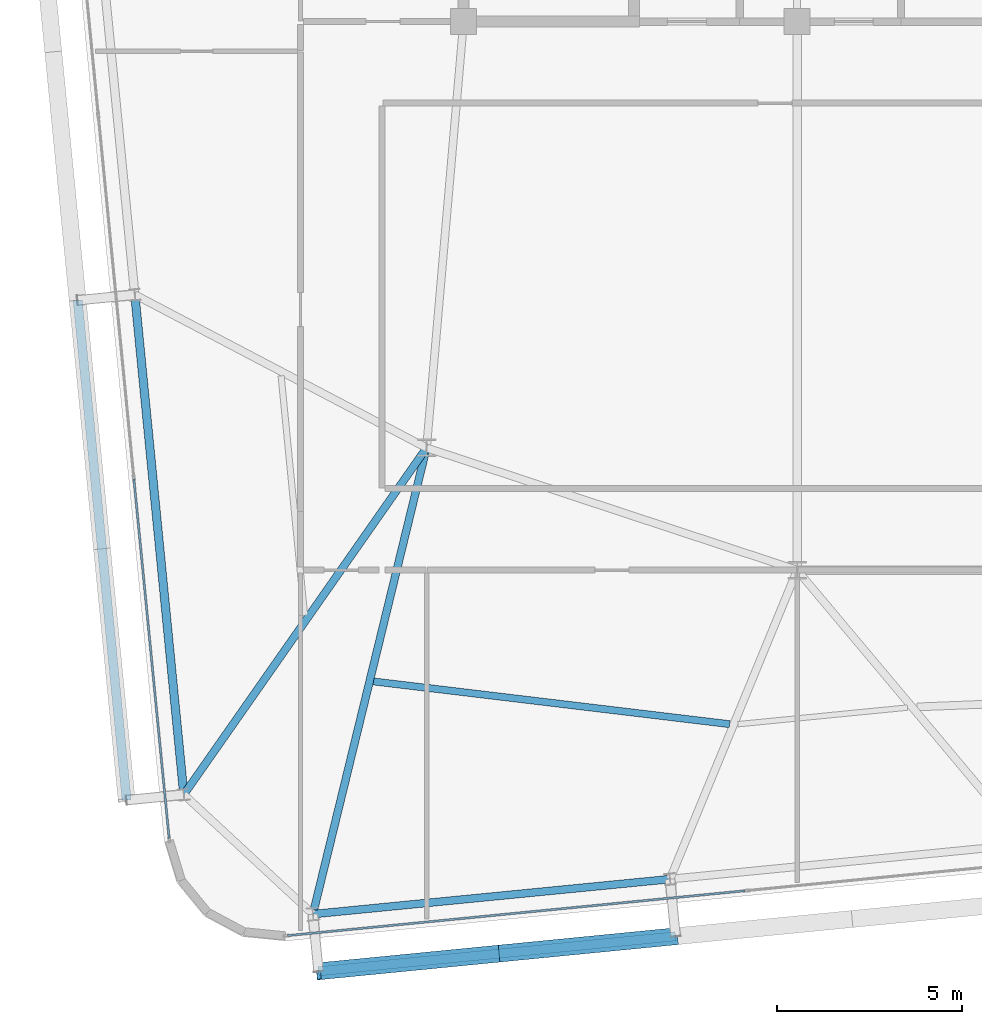
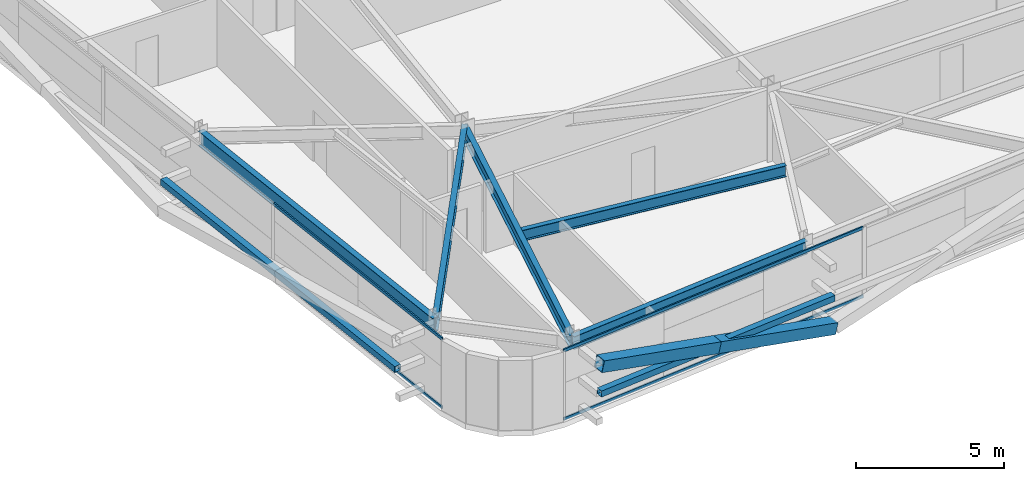
# One storey, part 6 of 47: 8 members, 5 beams, 2 elements without a shape of their own.
"""IFC4 building model written with IfcOpenShell, lengths in metres."""

from ifc_helpers import new_model, si_unit, direction, frame, origin, origin_2d, place, context, subcontext, project, spatial, hollow_rectangle, i_section, extrude, source, transform, mapped, material, layer, layer_set, material_profile, profile_set, type_object, element, aggregate, save


model = new_model("IFC4")

# Units and contexts
model_context = context("Model", 3, precision=1e-05, world=origin(), true_north=direction((0.0, 1.0)))
body_context = subcontext(model_context, "Body", "Model", "MODEL_VIEW")
ifc_project = project(units=[si_unit("LENGTHUNIT", "METRE"), si_unit("AREAUNIT", "SQUARE_METRE"), si_unit("VOLUMEUNIT", "CUBIC_METRE"), si_unit("PLANEANGLEUNIT", "RADIAN"), si_unit("MASSUNIT", "GRAM", prefix="KILO")], contexts=[model_context])

# Site, building, storey
site_placement = place(None, origin())
site = spatial("IfcSite", under=ifc_project, at=site_placement, CompositionType="ELEMENT")
building_placement = place(site_placement, origin())
building = spatial("IfcBuilding", under=site, at=building_placement, Name="Taldren Reach Tower", CompositionType="ELEMENT")
storey_placement = place(building_placement, frame((0.0, 0.0, 109.199951171875)))
storey = spatial("IfcBuildingStorey", under=building, at=storey_placement, Name="L33", CompositionType="ELEMENT", Elevation=109.199951171875)

# Beams
ifc_material_1 = material(Name="Steel Gr 350 (350PLUS)", Category="steel")
ifc_material_profile_1 = material_profile(ifc_material_1, i_section(OverallWidth=0.208984375, OverallDepth=0.528076171875, WebThickness=0.009521484375, FlangeThickness=0.01318359375, at=origin_2d()), Name="530UB82.0")
ifc_profile_set_1 = profile_set([ifc_material_profile_1], Name="Steel Gr 350 (350PLUS)")
beam_type_1 = type_object("IfcBeamType", Name="SP-UB530B", PredefinedType="SPANDREL", material=ifc_profile_set_1)
shared_shape_1 = source(origin(), body_context, "Body", "SweptSolid", [
    extrude(i_section(OverallWidth=0.208984375, OverallDepth=0.528076171875, WebThickness=0.009521484375, FlangeThickness=0.01318359375, at=origin_2d()), origin(), (0.0, 0.0, 1.0), 9.679931640625),
])
beam_1_placement = place(storey_placement, frame((14.93408203125, -0.079833984375, 2.60595703125), z_axis=(0.995227612658, 0.097580730699, 0.0), x_axis=(-0.097580730699, 0.995227612658, 0.0)))
element("IfcBeam", 1, at=beam_1_placement, inside=storey, type_object=beam_type_1, Name="Perimeter spandrel B2 S1-S2 L33", PredefinedType="SPANDREL", context=body_context, shape_type="MappedRepresentation", body=[
    mapped(shared_shape_1, transform((0.0, 0.0, 0.0), scale=1.0)),
])
ifc_material_profile_2 = material_profile(ifc_material_1, i_section(OverallWidth=0.22802734375, OverallDepth=0.60205078125, WebThickness=0.010498046875, FlangeThickness=0.014892578125, at=origin_2d()), Name="610UB101")
ifc_profile_set_2 = profile_set([ifc_material_profile_2], Name="Steel Gr 350 (350PLUS)")
beam_type_2 = type_object("IfcBeamType", Name="BM-UB610B", PredefinedType="BEAM", material=ifc_profile_set_2)
shared_shape_2 = source(origin(), body_context, "Body", "SweptSolid", [
    extrude(i_section(OverallWidth=0.22802734375, OverallDepth=0.60205078125, WebThickness=0.010498046875, FlangeThickness=0.014892578125, at=origin_2d()), origin(), (0.0, 0.0, 1.0), 13.550048828125),
])
beam_2_placement = place(storey_placement, frame((10.130615234375, 16.631103515625, 2.569091796875), z_axis=(0.097584021339, -0.995227290009, 0.0), x_axis=(0.995227290009, 0.097584021339, 0.0)))
element("IfcBeam", 2, at=beam_2_placement, inside=storey, type_object=beam_type_2, Name="Perimeter gable girder B2 W2-W1 L33", PredefinedType="BEAM", context=body_context, shape_type="MappedRepresentation", body=[
    mapped(shared_shape_2, transform((0.0, 0.0, 0.0), scale=1.0)),
])
ifc_material_profile_3 = material_profile(ifc_material_1, i_section(OverallWidth=0.208984375, OverallDepth=0.532958984375, WebThickness=0.01025390625, FlangeThickness=0.015625, at=origin_2d()), Name="530UB92.4")
ifc_profile_set_3 = profile_set([ifc_material_profile_3], Name="Steel Gr 350 (350PLUS)")
beam_type_3 = type_object("IfcBeamType", Name="BM-UB530A", PredefinedType="BEAM", material=ifc_profile_set_3)
shared_shape_3 = source(origin(), body_context, "Body", "SweptSolid", [
    extrude(i_section(OverallWidth=0.208984375, OverallDepth=0.532958984375, WebThickness=0.01025390625, FlangeThickness=0.015625, at=origin_2d()), origin(), (0.0, 0.0, 1.0), 12.947998046875),
])
beam_3_placement = place(storey_placement, frame((18.0, 12.5, 2.603515625), z_axis=(-0.236786022782, -0.971561824803, 0.0), x_axis=(0.971561824803, -0.236786022782, 0.0)))
element("IfcBeam", 3, at=beam_3_placement, inside=storey, type_object=beam_type_3, Name="Primary floor girder B2-S1 L33", PredefinedType="BEAM", context=body_context, shape_type="MappedRepresentation", body=[
    mapped(shared_shape_3, transform((0.0, 0.0, 0.0), scale=1.0)),
])
shared_shape_4 = source(origin(), body_context, "Body", "SweptSolid", [
    extrude(i_section(OverallWidth=0.208984375, OverallDepth=0.532958984375, WebThickness=0.01025390625, FlangeThickness=0.015625, at=origin_2d()), origin(), (0.0, 0.0, 1.0), 11.417724609375),
])
beam_4_placement = place(storey_placement, frame((18.0, 12.5, 2.603515625), z_axis=(-0.573412116146, -0.819267077977, 0.0), x_axis=(0.819267077977, -0.573412116146, 0.0)))
element("IfcBeam", 4, at=beam_4_placement, inside=storey, type_object=beam_type_3, Name="Primary floor girder B2-W1 L33", PredefinedType="BEAM", context=body_context, shape_type="MappedRepresentation", body=[
    mapped(shared_shape_4, transform((0.0, 0.0, 0.0), scale=1.0)),
])
ifc_material_profile_4 = material_profile(ifc_material_1, i_section(OverallWidth=0.19091796875, OverallDepth=0.4599609375, WebThickness=0.010009765625, FlangeThickness=0.01611328125, at=origin_2d()), Name="460UB82.1")
ifc_profile_set_4 = profile_set([ifc_material_profile_4], Name="Steel Gr 350 (350PLUS)")
beam_type_4 = type_object("IfcBeamType", Name="BM-UB460A", PredefinedType="BEAM", material=ifc_profile_set_4)
shared_shape_5 = source(origin(), body_context, "Body", "SweptSolid", [
    extrude(i_section(OverallWidth=0.19091796875, OverallDepth=0.4599609375, WebThickness=0.010009765625, FlangeThickness=0.01611328125, at=origin_2d()), origin(), (0.0, 0.0, 1.0), 9.673583984375),
])
beam_5_placement = place(storey_placement, frame((16.571533203125, 6.197509765625, 2.64013671875), z_axis=(0.992879584922, -0.119122331431, 0.0), x_axis=(0.119122331431, 0.992879584922, 0.0)))
element("IfcBeam", 5, at=beam_5_placement, inside=storey, type_object=beam_type_4, Name="Secondary floor beam B2 J1 L33", PredefinedType="BEAM", context=body_context, shape_type="MappedRepresentation", body=[
    mapped(shared_shape_5, transform((0.0, 0.0, 0.0), scale=1.0)),
])

# Members
ifc_material_2 = material(Name="Steel Gr 350 (C350L0)", Category="steel")
ifc_material_profile_5 = material_profile(ifc_material_2, hollow_rectangle(XDim=0.25, YDim=0.25, WallThickness=0.010009765625, at=origin_2d()), Name="250x250x10.0SHS")
ifc_profile_set_5 = profile_set([ifc_material_profile_5], Name="Steel Gr 350 (C350L0)")
member_type_1 = type_object("IfcMemberType", Name="MB-POST250", PredefinedType="POST", material=ifc_profile_set_5)
shared_shape_6 = source(origin(), body_context, "Body", "SweptSolid", [
    extrude(hollow_rectangle(XDim=0.25, YDim=0.25, WallThickness=0.010009765625, at=origin_2d()), origin(), (0.0, 0.0, 1.0), 9.679931640625),
])
member_1_placement = place(storey_placement, frame((15.08544921875, -1.62255859375, 1.405029296875), z_axis=(0.995227612658, 0.097580730699, 0.0), x_axis=(-0.097580730699, 0.995227612658, 0.0)))
element("IfcMember", 6, at=member_1_placement, inside=storey, type_object=member_type_1, Name="Exoskeleton mid-height ring chord B2-S1 L33", PredefinedType="POST", context=body_context, shape_type="MappedRepresentation", body=[
    mapped(shared_shape_6, transform((0.0, 0.0, 0.0), scale=1.0)),
])
shared_shape_7 = source(origin(), body_context, "Body", "SweptSolid", [
    extrude(hollow_rectangle(XDim=0.25, YDim=0.25, WallThickness=0.010009765625, at=origin_2d()), origin(), (0.0, 0.0, 1.0), 13.5498046875),
])
member_2_placement = place(storey_placement, frame((9.91015625, 2.99462890625, 1.405029296875), z_axis=(-0.097585771221, 0.995227118428, 0.0), x_axis=(-0.995227118428, -0.097585771221, 0.0)))
element("IfcMember", 7, at=member_2_placement, inside=storey, type_object=member_type_1, Name="Exoskeleton mid-height ring chord B2-W1 L33", PredefinedType="POST", context=body_context, shape_type="MappedRepresentation", body=[
    mapped(shared_shape_7, transform((0.0, 0.0, 0.0), scale=1.0)),
])
ifc_material_3 = material(Name="Steel Gr 450 (C450L0)", Category="steel")
ifc_material_profile_6 = material_profile(ifc_material_3, hollow_rectangle(XDim=0.4599609375, YDim=0.4599609375, WallThickness=0.01611328125, at=origin_2d()), Name="460x460x16.0SHS")
ifc_profile_set_6 = profile_set([ifc_material_profile_6], Name="Steel Gr 450 (C450L0)")
member_type_2 = type_object("IfcMemberType", Name="MB-EXO457", PredefinedType="BRACE", material=ifc_profile_set_6)
shared_shape_8 = source(origin(), body_context, "Body", "SweptSolid", [
    extrude(hollow_rectangle(XDim=0.4599609375, YDim=0.4599609375, WallThickness=0.01611328125, at=origin_2d()), origin(), (0.0, 0.0, 1.0), 4.98291015625),
])
for number, where, z_axis, x_axis, name in (
    (8, (24.71923828125, -0.677978515625, 0.219970703125), (-0.966675489194, -0.094756735738, 0.23782274833), (0.097555749586, -0.995230061706, 0.0), "Exoskeleton Diagrid Brace B2-S1 L33"),
    (9, (19.90234375, -1.150146484375, 1.405029296875), (-0.966671000152, -0.094805290689, 0.23782164393), (0.097605711627, -0.995225162995, 0.0), "Exoskeleton Diagrid Brace B2-S1 L33"),
):
    element("IfcMember", number, at=place(storey_placement, frame(where, z_axis=z_axis, x_axis=x_axis)), inside=storey, type_object=member_type_2, Name=name, PredefinedType="BRACE", context=body_context, shape_type="MappedRepresentation", body=[
        mapped(shared_shape_8, transform((0.0, 0.0, 0.0), scale=1.0)),
    ])

# Curtain wall, members
ifc_material_4 = material(Name="Aluminium and Low-E Glass Unitised System", Category="aluminium")
ifc_layer = layer(ifc_material_4, 0.159912109375)
ifc_layer_set = layer_set([ifc_layer], Name="Aluminium and Low-E Glass Unitised System")
curtain_wall_type = type_object("IfcCurtainWallType", Name="CW-SYS-3", PredefinedType="NOTDEFINED", material=ifc_layer_set)
curtain_wall_1_placement = place(storey_placement, origin())
curtain_wall_1 = element("IfcCurtainWall", 10, at=curtain_wall_1_placement, inside=storey, type_object=curtain_wall_type, Name="Unitised curtain wall CW-L33-S", PredefinedType="NOTDEFINED")
ifc_material_5 = material(Name="Anodised Aluminium 6063-T6", Category="aluminium")
ifc_material_profile_7 = material_profile(ifc_material_5, hollow_rectangle(XDim=0.054931640625, YDim=0.1201171875, WallThickness=0.0029296875, at=origin_2d()), Name="ALU-120x55x3RHS")
ifc_profile_set_7 = profile_set([ifc_material_profile_7], Name="Anodised Aluminium 6063-T6")
member_type_3 = type_object("IfcMemberType", Name="CW-TRN-135", PredefinedType="USERDEFINED", material=ifc_profile_set_7)
shared_shape_9 = source(origin(), body_context, "Body", "SweptSolid", [
    extrude(hollow_rectangle(XDim=0.054931640625, YDim=0.1201171875, WallThickness=0.0029296875, at=origin_2d()), origin(), (0.0, 0.0, 1.0), 12.40234375),
])
member_3_placement = place(storey_placement, frame((14.25244140625, -0.6591796875, 0.027587890625), z_axis=(0.995227887927, 0.097577923186, 0.0), x_axis=(-0.097577923186, 0.995227887927, 0.0)))
member_3 = element("IfcMember", 11, at=member_3_placement, type_object=member_type_3, Name="CW-3 transom 1.1", ObjectType="TRANSOM", PredefinedType="USERDEFINED", context=body_context, shape_type="MappedRepresentation", body=[
    mapped(shared_shape_9, transform((0.0, 0.0, 0.0), scale=1.0)),
])
member_4_placement = place(storey_placement, frame((14.25244140625, -0.6591796875, 2.842529296875), z_axis=(0.995227887927, 0.097577923186, 0.0), x_axis=(-0.097577923186, 0.995227887927, 0.0)))
member_4 = element("IfcMember", 12, at=member_4_placement, type_object=member_type_3, Name="CW-3 transom 1.2", ObjectType="TRANSOM", PredefinedType="USERDEFINED", context=body_context, shape_type="MappedRepresentation", body=[
    mapped(shared_shape_9, transform((0.0, 0.0, 0.0), scale=1.0)),
])
aggregate(curtain_wall_1, [member_3, member_4])

curtain_wall_2_placement = place(storey_placement, origin())
curtain_wall_2 = element("IfcCurtainWall", 13, at=curtain_wall_2_placement, inside=storey, type_object=curtain_wall_type, Name="Unitised curtain wall CW-L33-W", PredefinedType="NOTDEFINED")
shared_shape_10 = source(origin(), body_context, "Body", "SweptSolid", [
    extrude(hollow_rectangle(XDim=0.054931640625, YDim=0.1201171875, WallThickness=0.0029296875, at=origin_2d()), origin(), (0.0, 0.0, 1.0), 9.73583984375),
])
member_5_placement = place(storey_placement, frame((10.10595703125, 11.65576171875, 0.027587890625), z_axis=(0.097571911043, -0.995228477374, 0.0), x_axis=(0.995228477374, 0.097571911043, 0.0)))
member_5 = element("IfcMember", 14, at=member_5_placement, type_object=member_type_3, Name="CW-3 transom 3.1", ObjectType="TRANSOM", PredefinedType="USERDEFINED", context=body_context, shape_type="MappedRepresentation", body=[
    mapped(shared_shape_10, transform((0.0, 0.0, 0.0), scale=1.0)),
])
member_6_placement = place(storey_placement, frame((10.10595703125, 11.65576171875, 2.842529296875), z_axis=(0.097571911043, -0.995228477374, 0.0), x_axis=(0.995228477374, 0.097571911043, 0.0)))
member_6 = element("IfcMember", 15, at=member_6_placement, type_object=member_type_3, Name="CW-3 transom 3.2", ObjectType="TRANSOM", PredefinedType="USERDEFINED", context=body_context, shape_type="MappedRepresentation", body=[
    mapped(shared_shape_10, transform((0.0, 0.0, 0.0), scale=1.0)),
])
aggregate(curtain_wall_2, [member_5, member_6])

save(model, "model.ifc")
